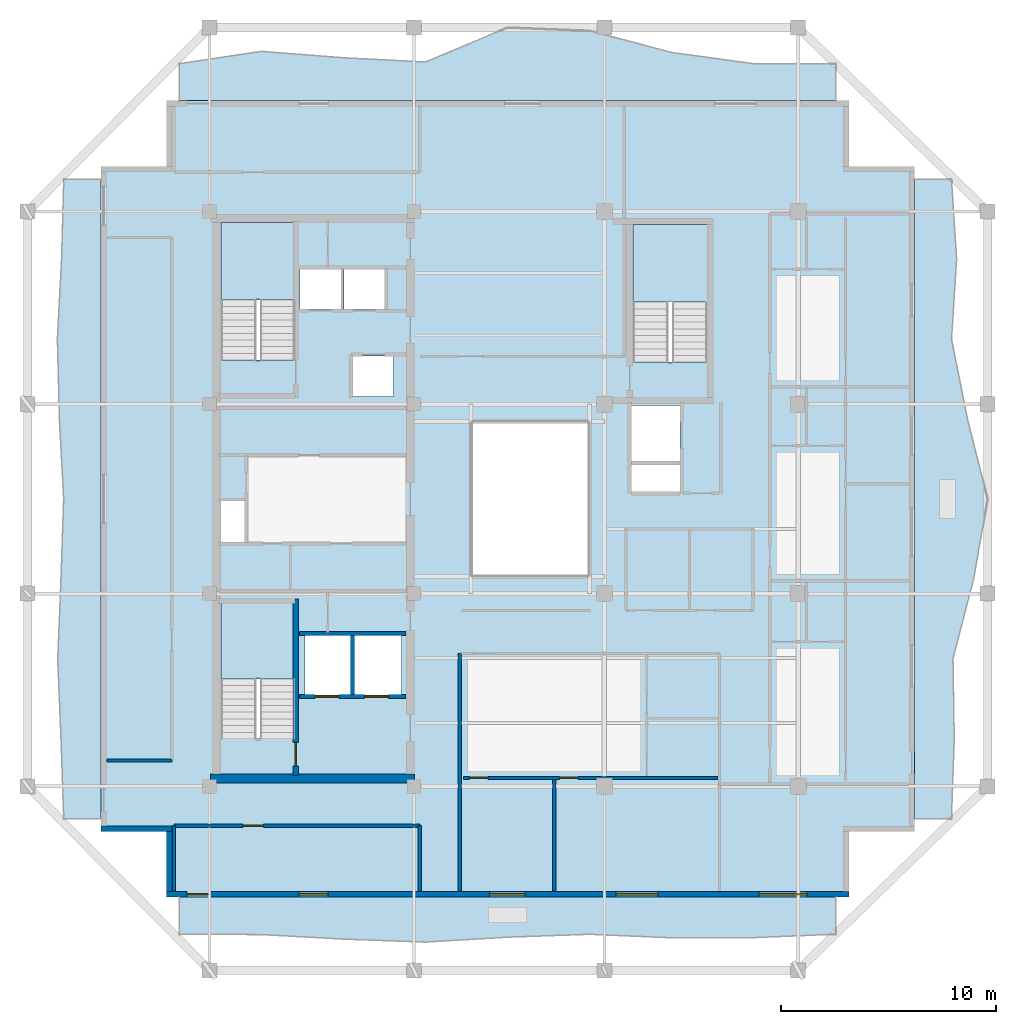
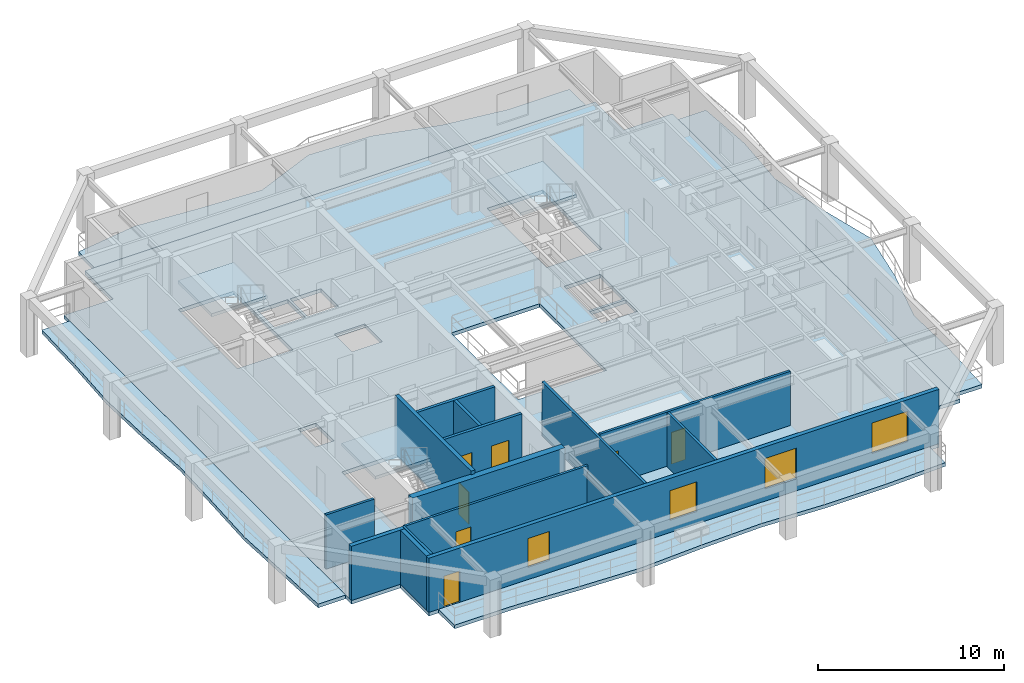
# One storey, part 2 of 10: 15 walls, 8 slabs, 7 doors, 4 windows, 11 openings, 3 elements without a shape of their own.
"""IFC4 building model written with IfcOpenShell, lengths in metres."""

from ifc_helpers import new_model, si_unit, direction, frame, frame_2d, origin, place, context, subcontext, project, spatial, polyline, rectangle, outline, extrude, material, layer, layer_set, type_object, element, fill, aggregate, save


model = new_model("IFC4")

# Units and contexts
model_context = context("Model", 3, precision=1e-05, world=origin(), true_north=direction((0.0, 1.0)))
body_context = subcontext(model_context, "Body", "Model", "MODEL_VIEW")
ifc_project = project(units=[si_unit("LENGTHUNIT", "METRE"), si_unit("AREAUNIT", "SQUARE_METRE"), si_unit("VOLUMEUNIT", "CUBIC_METRE"), si_unit("PLANEANGLEUNIT", "RADIAN"), si_unit("MASSUNIT", "GRAM", prefix="KILO")], contexts=[model_context])

# Site, building, storey
site_placement = place(None, origin())
site = spatial("IfcSite", under=ifc_project, at=site_placement, CompositionType="ELEMENT")
building_placement = place(site_placement, origin())
building = spatial("IfcBuilding", under=site, at=building_placement, Name="Kundavana Baori Tower", CompositionType="ELEMENT")
storey_placement = place(building_placement, frame((0.0, 0.0, 312.5)))
storey = spatial("IfcBuildingStorey", under=building, at=storey_placement, Name="L77", CompositionType="ELEMENT", Elevation=312.5)

# Slab
ifc_material_1 = material(Name="Concrete C40/50", Category="concrete")
ifc_layer_1 = layer(ifc_material_1, 0.239990234375, Name="SLB-FLR-240")
ifc_layer_set_1 = layer_set([ifc_layer_1], Name="Concrete C40/50")
slab_type_1 = type_object("IfcSlabType", Name="SLB-FLR-240", PredefinedType="FLOOR", material=ifc_layer_set_1)
slab_1_placement = place(storey_placement, frame((0.0, 0.0, -0.239990234375)))
element("IfcSlab", 1, at=slab_1_placement, inside=storey, type_object=slab_type_1, Name="L77 Structural Floor Slab", PredefinedType="FLOOR", context=body_context, shape_type="SweptSolid", body=[
    extrude(outline(polyline([(13.449951171875, 10.10009765625), (45.14990234375, 10.10009765625), (45.14990234375, 13.14990234375), (48.199951171875, 13.14990234375), (48.199951171875, 44.050048828125), (45.14990234375, 44.050048828125), (45.14990234375, 47.10009765625), (13.449951171875, 47.10009765625), (13.449951171875, 44.050048828125), (10.39990234375, 44.050048828125), (10.39990234375, 13.14990234375), (13.449951171875, 13.14990234375), (13.449951171875, 10.10009765625)]), holes=[polyline([(19.43994140625, 17.4619140625), (19.43994140625, 23.85009765625), (15.97998046875, 23.85009765625), (15.97998046875, 17.4619140625), (19.43994140625, 17.4619140625)]), polyline([(19.43994140625, 35.06201171875), (19.43994140625, 41.449951171875), (15.97998046875, 41.449951171875), (15.97998046875, 35.06201171875), (19.43994140625, 35.06201171875)]), polyline([(38.580078125, 34.9619140625), (38.580078125, 41.35009765625), (35.1201171875, 41.35009765625), (35.1201171875, 34.9619140625), (38.580078125, 34.9619140625)]), polyline([(19.64990234375, 37.39990234375), (21.550048828125, 37.39990234375), (21.550048828125, 39.300048828125), (19.64990234375, 39.300048828125), (19.64990234375, 37.39990234375)]), polyline([(21.699951171875, 37.39990234375), (23.60009765625, 37.39990234375), (23.60009765625, 39.300048828125), (21.699951171875, 39.300048828125), (21.699951171875, 37.39990234375)]), polyline([(22.10009765625, 33.35009765625), (24.0, 33.35009765625), (24.0, 35.25), (22.10009765625, 35.25), (22.10009765625, 33.35009765625)]), polyline([(19.8798828125, 19.5), (22.02001953125, 19.5), (22.02001953125, 22.25), (19.8798828125, 22.25), (19.8798828125, 19.5)]), polyline([(22.179931640625, 19.5), (24.3798828125, 19.5), (24.3798828125, 22.25), (22.179931640625, 22.25), (22.179931640625, 19.5)]), polyline([(35.050048828125, 30.35009765625), (37.300048828125, 30.35009765625), (37.300048828125, 32.949951171875), (35.050048828125, 32.949951171875), (35.050048828125, 30.35009765625)]), polyline([(15.949951171875, 26.60009765625), (17.080078125, 26.60009765625), (17.080078125, 28.5), (15.949951171875, 28.5), (15.949951171875, 26.60009765625)]), polyline([(35.050048828125, 28.949951171875), (37.300048828125, 28.949951171875), (37.300048828125, 30.199951171875), (35.050048828125, 30.199951171875), (35.050048828125, 28.949951171875)]), polyline([(27.60009765625, 25.0), (33.10009765625, 25.0), (33.10009765625, 32.199951171875), (27.60009765625, 32.199951171875), (27.60009765625, 25.0)])]), origin(), (0.0, 0.0, 1.0), 0.239990234375),
])

# Stair, slab
ifc_material_2 = material(Name="Concrete C40/50", Category="concrete")
stair_type = type_object("IfcStairType", Name="STR-DOG-1650", PredefinedType="HALF_TURN_STAIR", material=ifc_material_2)
stair_1_placement = place(storey_placement, origin())
stair_1 = element("IfcStair", 2, at=stair_1_placement, inside=storey, type_object=stair_type, Name="L77 Protected Exit Stair ST1", PredefinedType="HALF_TURN_STAIR")
ifc_material_3 = material(Name="Concrete C40/50", Category="concrete")
ifc_layer_2 = layer(ifc_material_3, 0.199951171875, Name="SLB-LND-200")
ifc_layer_set_2 = layer_set([ifc_layer_2], Name="Concrete C40/50")
slab_type_2 = type_object("IfcSlabType", Name="SLB-LND-200", PredefinedType="LANDING", material=ifc_layer_set_2)
slab_2_placement = place(storey_placement, frame((0.0, 0.0, 1.699951171875)))
slab_2 = element("IfcSlab", 3, at=slab_2_placement, type_object=slab_type_2, Name="ST1 landing 1", PredefinedType="LANDING", context=body_context, shape_type="SweptSolid", body=[
    extrude(outline(polyline([(19.43994140625, 20.239990234375), (19.43994140625, 23.85009765625), (15.97998046875, 23.85009765625), (15.97998046875, 20.239990234375), (19.43994140625, 20.239990234375)])), origin(), (0.0, 0.0, 1.0), 0.199951171875),
])
aggregate(stair_1, [slab_2])

stair_2_placement = place(storey_placement, origin())
stair_2 = element("IfcStair", 4, at=stair_2_placement, inside=storey, type_object=stair_type, Name="L77 Protected Exit Stair ST2", PredefinedType="HALF_TURN_STAIR")
slab_3_placement = place(storey_placement, frame((0.0, 0.0, 1.699951171875)))
slab_3 = element("IfcSlab", 5, at=slab_3_placement, type_object=slab_type_2, Name="ST2 landing 1", PredefinedType="LANDING", context=body_context, shape_type="SweptSolid", body=[
    extrude(outline(polyline([(19.43994140625, 37.840087890625), (19.43994140625, 41.449951171875), (15.97998046875, 41.449951171875), (15.97998046875, 37.840087890625), (19.43994140625, 37.840087890625)])), origin(), (0.0, 0.0, 1.0), 0.199951171875),
])
aggregate(stair_2, [slab_3])

stair_3_placement = place(storey_placement, origin())
stair_3 = element("IfcStair", 6, at=stair_3_placement, inside=storey, type_object=stair_type, Name="L77 Protected Exit Stair ST3", PredefinedType="HALF_TURN_STAIR")
slab_4_placement = place(storey_placement, frame((0.0, 0.0, 1.699951171875)))
slab_4 = element("IfcSlab", 7, at=slab_4_placement, type_object=slab_type_2, Name="ST3 landing 1", PredefinedType="LANDING", context=body_context, shape_type="SweptSolid", body=[
    extrude(outline(polyline([(38.580078125, 37.739990234375), (38.580078125, 41.35009765625), (35.1201171875, 41.35009765625), (35.1201171875, 37.739990234375), (38.580078125, 37.739990234375)])), origin(), (0.0, 0.0, 1.0), 0.199951171875),
])
aggregate(stair_3, [slab_4])

# Slabs
ifc_material_4 = material(Name="Concrete C40/50", Category="concrete")
ifc_layer_3 = layer(ifc_material_4, 0.239990234375, Name="SLB-LOG-240")
ifc_layer_set_3 = layer_set([ifc_layer_3], Name="Concrete C40/50")
slab_type_3 = type_object("IfcSlabType", Name="SLB-LOG-240", PredefinedType="FLOOR", material=ifc_layer_set_3)
slab_5_placement = place(storey_placement, frame((0.0, 0.0, -0.239990234375)))
element("IfcSlab", 8, at=slab_5_placement, inside=storey, type_object=slab_type_3, Name="L77 Planted Loggia Balcony Slab S", PredefinedType="FLOOR", context=body_context, shape_type="SweptSolid", body=[
    extrude(outline(polyline([(14.050048828125, 10.10009765625), (44.550048828125, 10.10009765625), (44.550048828125, 8.3798828125), (40.737060546875, 8.218994140625), (36.925048828125, 8.212890625), (33.112060546875, 8.375), (29.300048828125, 8.240966796875), (25.487060546875, 8.011962890625), (21.675048828125, 8.152099609375), (17.863037109375, 8.362060546875), (14.050048828125, 8.3798828125), (14.050048828125, 10.10009765625)])), origin(), (0.0, 0.0, 1.0), 0.239990234375),
])
slab_6_placement = place(storey_placement, frame((0.0, 0.0, -0.239990234375)))
element("IfcSlab", 9, at=slab_6_placement, inside=storey, type_object=slab_type_3, Name="L77 Planted Loggia Balcony Slab E", PredefinedType="FLOOR", context=body_context, shape_type="SweptSolid", body=[
    extrude(outline(polyline([(48.199951171875, 13.75), (48.199951171875, 43.449951171875), (49.919921875, 43.449951171875), (50.160888671875, 39.738037109375), (49.923095703125, 36.02490234375), (50.6630859375, 32.31201171875), (51.60009765625, 28.60009765625), (50.955078125, 24.887939453125), (49.989013671875, 21.175048828125), (50.050048828125, 17.4619140625), (49.919921875, 13.75), (48.199951171875, 13.75)])), origin(), (0.0, 0.0, 1.0), 0.239990234375),
])
slab_7_placement = place(storey_placement, frame((0.0, 0.0, -0.239990234375)))
element("IfcSlab", 10, at=slab_7_placement, inside=storey, type_object=slab_type_3, Name="L77 Planted Loggia Balcony Slab N", PredefinedType="FLOOR", context=body_context, shape_type="SweptSolid", body=[
    extrude(outline(polyline([(44.550048828125, 47.10009765625), (14.050048828125, 47.10009765625), (14.050048828125, 48.820068359375), (17.863037109375, 49.39208984375), (21.675048828125, 49.095947265625), (25.487060546875, 48.89892578125), (29.300048828125, 50.5), (33.112060546875, 50.35107421875), (36.925048828125, 49.340087890625), (40.737060546875, 48.820068359375), (44.550048828125, 48.820068359375), (44.550048828125, 47.10009765625)])), origin(), (0.0, 0.0, 1.0), 0.239990234375),
])
slab_8_placement = place(storey_placement, frame((0.0, 0.0, -0.239990234375)))
element("IfcSlab", 11, at=slab_8_placement, inside=storey, type_object=slab_type_3, Name="L77 Planted Loggia Balcony Slab W", PredefinedType="FLOOR", context=body_context, shape_type="SweptSolid", body=[
    extrude(outline(polyline([(10.39990234375, 43.449951171875), (10.39990234375, 13.75), (8.679931640625, 13.75), (8.552001953125, 17.4619140625), (8.39990234375, 21.175048828125), (8.551025390625, 24.887939453125), (8.676025390625, 28.60009765625), (8.47802734375, 32.31201171875), (8.384033203125, 36.02490234375), (8.5791015625, 39.738037109375), (8.679931640625, 43.449951171875), (10.39990234375, 43.449951171875)])), origin(), (0.0, 0.0, 1.0), 0.239990234375),
])

# Wall
ifc_material_5 = material(Name="Concrete C50/60", Category="concrete")
ifc_layer_4 = layer(ifc_material_5, 0.39990234375, Name="WL-CORE-400")
ifc_layer_set_4 = layer_set([ifc_layer_4], Name="Concrete C50/60")
wall_type_1 = type_object("IfcWallType", Name="WL-CORE-400", PredefinedType="SHEAR", material=ifc_layer_set_4)
wall_1_placement = place(storey_placement, frame((15.5, 15.610107421875, 0.0), z_axis=(0.0, 0.0, 1.0), x_axis=(1.0, 0.0, 0.0)))
element("IfcWall", 12, at=wall_1_placement, inside=storey, type_object=wall_type_1, Name="L77 Offset Core South Shear Wall", PredefinedType="SHEAR", context=body_context, shape_type="SweptSolid", body=[
    extrude(rectangle(XDim=9.47998046875, YDim=0.39990234375, at=frame_2d((4.739990234375, 0.0))), origin(), (0.0, 0.0, 1.0), 3.56005859375),
])

# Wall, opening, door
wall_2_placement = place(storey_placement, frame((19.4599609375, 15.739990234375, 0.0), z_axis=(0.0, 0.0, 1.0), x_axis=(0.0, 1.0, 0.0)))
wall_2 = element("IfcWall", 13, at=wall_2_placement, inside=storey, type_object=wall_type_1, Name="WL-L77-ST1-E", PredefinedType="SHEAR", context=body_context, shape_type="SweptSolid", body=[
    extrude(rectangle(XDim=8.199951171875, YDim=0.239990234375, at=frame_2d((4.10009765625, 0.0))), origin(), (0.0, 0.0, 1.0), 3.800048828125),
])
opening_1_placement = place(wall_2_placement, frame((0.449951171875, 0.0, 0.0)))
opening_1 = element("IfcOpeningElement", 14, at=opening_1_placement, cuts=wall_2, Name="Opening FD-110", PredefinedType="OPENING", context=body_context, shape_type="SweptSolid", body=[
    extrude(rectangle(XDim=1.10009765625, YDim=2.10009765625, at=frame_2d((0.550048828125, 1.050048828125))), frame((0.0, 0.1298828125, 0.0), z_axis=(0.0, -1.0, 0.0), x_axis=(1.0, 0.0, 0.0)), (0.0, 0.0, 1.0), 0.260009765625),
])
ifc_material_6 = material(Name="Galvanised Steel Fire-Rated Door Leaf", Category="steel")
door_type_1 = type_object("IfcDoorType", Name="DR-FD120-1100", OperationType="NOTDEFINED", PredefinedType="DOOR", material=ifc_material_6)
door_1_placement = place(opening_1_placement, origin())
door_1 = element("IfcDoor", 15, at=door_1_placement, inside=storey, type_object=door_type_1, Name="DR-L77-ST1", OperationType="SINGLE_SWING_LEFT", OverallHeight=2.10009765625, OverallWidth=1.10009765625, PredefinedType="DOOR", context=body_context, shape_type="SweptSolid", body=[
    extrude(rectangle(XDim=1.10009765625, YDim=2.10009765625, at=frame_2d((0.550048828125, 1.050048828125))), frame((0.0, 0.02490234375, 0.0), z_axis=(0.0, -1.0, 0.0), x_axis=(1.0, 0.0, 0.0)), (0.0, 0.0, 1.0), 0.050048828125),
])
fill(opening_1, door_1)

# Wall, openings, door, windows
ifc_material_7 = material(Name="Kiln-Fired Terracotta Brick-Slip Masonry on Concrete C40/50", Category="masonry")
ifc_layer_5 = layer(ifc_material_7, 0.260009765625, Name="WL-EXT-BRK-260")
ifc_layer_set_5 = layer_set([ifc_layer_5], Name="Kiln-Fired Terracotta Brick-Slip Masonry on Concrete C40/50")
wall_type_2 = type_object("IfcWallType", Name="WL-EXT-BRK-260", PredefinedType="SOLIDWALL", material=ifc_layer_set_5)
wall_3_placement = place(storey_placement, frame((13.449951171875, 10.22998046875, 0.0), z_axis=(0.0, 0.0, 1.0), x_axis=(1.0, 0.0, 0.0)))
wall_3 = element("IfcWall", 16, at=wall_3_placement, inside=storey, type_object=wall_type_2, Name="L77 Exterior Insulated Facade Wall 01", PredefinedType="SOLIDWALL", context=body_context, shape_type="SweptSolid", body=[
    extrude(rectangle(XDim=31.699951171875, YDim=0.260009765625, at=frame_2d((15.85009765625, 0.0))), origin(), (0.0, 0.0, 1.0), 3.56005859375),
])
opening_2_placement = place(wall_3_placement, frame((0.949951171875, 0.0, 0.0)))
opening_2 = element("IfcOpeningElement", 17, at=opening_2_placement, cuts=wall_3, Name="Opening BD-1", PredefinedType="OPENING", context=body_context, shape_type="SweptSolid", body=[
    extrude(rectangle(XDim=1.0, YDim=2.050048828125, at=frame_2d((0.5, 1.02490234375))), frame((0.0, 0.14013671875, 0.0), z_axis=(0.0, -1.0, 0.0), x_axis=(1.0, 0.0, 0.0)), (0.0, 0.0, 1.0), 0.280029296875),
])
opening_3_placement = place(wall_3_placement, frame((6.159912109375, 0.0, 0.800048828125)))
opening_3 = element("IfcOpeningElement", 18, at=opening_3_placement, cuts=wall_3, Name="Opening W-07", PredefinedType="OPENING", context=body_context, shape_type="SweptSolid", body=[
    extrude(rectangle(XDim=1.35009765625, YDim=1.89990234375, at=frame_2d((0.675048828125, 0.949951171875))), frame((0.0, 0.14013671875, 0.0), z_axis=(0.0, -1.0, 0.0), x_axis=(1.0, 0.0, 0.0)), (0.0, 0.0, 1.0), 0.280029296875),
])
opening_4_placement = place(wall_3_placement, frame((14.998046875, 0.0, 0.800048828125)))
opening_4 = element("IfcOpeningElement", 19, at=opening_4_placement, cuts=wall_3, Name="Opening W-08", PredefinedType="OPENING", context=body_context, shape_type="SweptSolid", body=[
    extrude(rectangle(XDim=1.64990234375, YDim=1.949951171875, at=frame_2d((0.824951171875, 0.97509765625))), frame((0.0, 0.14013671875, 0.0), z_axis=(0.0, -1.0, 0.0), x_axis=(1.0, 0.0, 0.0)), (0.0, 0.0, 1.0), 0.280029296875),
])
opening_5_placement = place(wall_3_placement, frame((20.883056640625, 0.0, 0.800048828125)))
opening_5 = element("IfcOpeningElement", 20, at=opening_5_placement, cuts=wall_3, Name="Opening W-09", PredefinedType="OPENING", context=body_context, shape_type="SweptSolid", body=[
    extrude(rectangle(XDim=1.949951171875, YDim=2.0, at=frame_2d((0.97509765625, 1.0))), frame((0.0, 0.14013671875, 0.0), z_axis=(0.0, -1.0, 0.0), x_axis=(1.0, 0.0, 0.0)), (0.0, 0.0, 1.0), 0.280029296875),
])
opening_6_placement = place(wall_3_placement, frame((27.52001953125, 0.0, 0.800048828125)))
opening_6 = element("IfcOpeningElement", 21, at=opening_6_placement, cuts=wall_3, Name="Opening W-10", PredefinedType="OPENING", context=body_context, shape_type="SweptSolid", body=[
    extrude(rectangle(XDim=2.25, YDim=2.0, at=frame_2d((1.125, 1.0))), frame((0.0, 0.14013671875, 0.0), z_axis=(0.0, -1.0, 0.0), x_axis=(1.0, 0.0, 0.0)), (0.0, 0.0, 1.0), 0.280029296875),
])
ifc_material_8 = material(Name="Architectural Patinated Bronze Metalwork")
door_type_2 = type_object("IfcDoorType", Name="DR-EXT-LOG-1000", OperationType="NOTDEFINED", PredefinedType="DOOR", material=ifc_material_8)
door_2_placement = place(opening_2_placement, frame((1.0, 0.0, 0.0), z_axis=(0.0, 0.0, 1.0), x_axis=(-1.0, 0.0, 0.0)))
door_2 = element("IfcDoor", 22, at=door_2_placement, inside=storey, type_object=door_type_2, Name="L77 Loggia Balcony Access Door S", OperationType="SINGLE_SWING_LEFT", OverallHeight=2.050048828125, OverallWidth=1.0, PredefinedType="DOOR", context=body_context, shape_type="SweptSolid", body=[
    extrude(rectangle(XDim=1.0, YDim=2.050048828125, at=frame_2d((0.5, 1.02490234375))), frame((0.0, 0.02490234375, 0.0), z_axis=(0.0, -1.0, 0.0), x_axis=(1.0, 0.0, 0.0)), (0.0, 0.0, 1.0), 0.050048828125),
])
fill(opening_2, door_2)
ifc_material_9 = material(Name="Double-Glazed Solar-Control Low-E Insulated Glass", Category="glass")
window_type_1 = type_object("IfcWindowType", Name="WIN-LOG-1350x1900", PartitioningType="SINGLE_PANEL", PredefinedType="WINDOW", material=ifc_material_9)
window_1_placement = place(opening_3_placement, origin())
window_1 = element("IfcWindow", 23, at=window_1_placement, inside=storey, type_object=window_type_1, Name="L77 Recessed Loggia Window S-1", OverallHeight=1.89990234375, OverallWidth=1.35009765625, PartitioningType="SINGLE_PANEL", PredefinedType="WINDOW", context=body_context, shape_type="SweptSolid", body=[
    extrude(rectangle(XDim=1.35009765625, YDim=1.89990234375, at=frame_2d((0.675048828125, 0.949951171875))), frame((0.0, 0.030029296875, 0.0), z_axis=(0.0, -1.0, 0.0), x_axis=(1.0, 0.0, 0.0)), (0.0, 0.0, 1.0), 0.06005859375),
])
fill(opening_3, window_1)
ifc_material_10 = material(Name="Double-Glazed Solar-Control Low-E Insulated Glass", Category="glass")
window_type_2 = type_object("IfcWindowType", Name="WIN-LOG-1650x1950", PartitioningType="SINGLE_PANEL", PredefinedType="WINDOW", material=ifc_material_10)
window_2_placement = place(opening_4_placement, origin())
window_2 = element("IfcWindow", 24, at=window_2_placement, inside=storey, type_object=window_type_2, Name="L77 Recessed Loggia Window S-2", OverallHeight=1.949951171875, OverallWidth=1.64990234375, PartitioningType="SINGLE_PANEL", PredefinedType="WINDOW", context=body_context, shape_type="SweptSolid", body=[
    extrude(rectangle(XDim=1.64990234375, YDim=1.949951171875, at=frame_2d((0.824951171875, 0.97509765625))), frame((0.0, 0.030029296875, 0.0), z_axis=(0.0, -1.0, 0.0), x_axis=(1.0, 0.0, 0.0)), (0.0, 0.0, 1.0), 0.06005859375),
])
fill(opening_4, window_2)
ifc_material_11 = material(Name="Double-Glazed Solar-Control Low-E Insulated Glass", Category="glass")
window_type_3 = type_object("IfcWindowType", Name="WIN-LOG-1950x2000", PartitioningType="SINGLE_PANEL", PredefinedType="WINDOW", material=ifc_material_11)
window_3_placement = place(opening_5_placement, origin())
window_3 = element("IfcWindow", 25, at=window_3_placement, inside=storey, type_object=window_type_3, Name="L77 Recessed Loggia Window S-3", OverallHeight=2.0, OverallWidth=1.949951171875, PartitioningType="SINGLE_PANEL", PredefinedType="WINDOW", context=body_context, shape_type="SweptSolid", body=[
    extrude(rectangle(XDim=1.949951171875, YDim=2.0, at=frame_2d((0.97509765625, 1.0))), frame((0.0, 0.030029296875, 0.0), z_axis=(0.0, -1.0, 0.0), x_axis=(1.0, 0.0, 0.0)), (0.0, 0.0, 1.0), 0.06005859375),
])
fill(opening_5, window_3)
ifc_material_12 = material(Name="Double-Glazed Solar-Control Low-E Insulated Glass", Category="glass")
window_type_4 = type_object("IfcWindowType", Name="WIN-LOG-2250x2000", PartitioningType="SINGLE_PANEL", PredefinedType="WINDOW", material=ifc_material_12)
window_4_placement = place(opening_6_placement, origin())
window_4 = element("IfcWindow", 26, at=window_4_placement, inside=storey, type_object=window_type_4, Name="L77 Recessed Loggia Window S-4", OverallHeight=2.0, OverallWidth=2.25, PartitioningType="SINGLE_PANEL", PredefinedType="WINDOW", context=body_context, shape_type="SweptSolid", body=[
    extrude(rectangle(XDim=2.25, YDim=2.0, at=frame_2d((1.125, 1.0))), frame((0.0, 0.030029296875, 0.0), z_axis=(0.0, -1.0, 0.0), x_axis=(1.0, 0.0, 0.0)), (0.0, 0.0, 1.0), 0.06005859375),
])
fill(opening_6, window_4)

# Walls
wall_4_placement = place(storey_placement, frame((10.39990234375, 13.280029296875, 0.0), z_axis=(0.0, 0.0, 1.0), x_axis=(1.0, 0.0, 0.0)))
element("IfcWall", 27, at=wall_4_placement, inside=storey, type_object=wall_type_2, Name="L77 Exterior Insulated Facade Wall 11", PredefinedType="SOLIDWALL", context=body_context, shape_type="SweptSolid", body=[
    extrude(rectangle(XDim=3.31005859375, YDim=0.260009765625, at=frame_2d((1.655029296875, 0.0))), origin(), (0.0, 0.0, 1.0), 3.56005859375),
])
wall_5_placement = place(storey_placement, frame((13.580078125, 13.14990234375, 0.0), z_axis=(0.0, 0.0, 1.0), x_axis=(0.0, -1.0, 0.0)))
element("IfcWall", 28, at=wall_5_placement, inside=storey, type_object=wall_type_2, Name="L77 Exterior Insulated Facade Wall 12", PredefinedType="SOLIDWALL", context=body_context, shape_type="SweptSolid", body=[
    extrude(rectangle(XDim=2.789794921875, YDim=0.260009765625, at=frame_2d((1.39501953125, 0.0))), origin(), (0.0, 0.0, 1.0), 3.56005859375),
])
ifc_material_13 = material(Name="Fire-Rated Gypsum Drywall on Galvanised Steel Studs", Category="steel")
ifc_layer_6 = layer(ifc_material_13, 0.14990234375, Name="WL-PART-150")
ifc_layer_set_6 = layer_set([ifc_layer_6], Name="Fire-Rated Gypsum Drywall on Galvanised Steel Studs")
wall_type_3 = type_object("IfcWallType", Name="WL-PART-150", PredefinedType="PARTITIONING", material=ifc_layer_set_6)
wall_6_placement = place(storey_placement, frame((27.080078125, 10.3798828125, 0.0), z_axis=(0.0, 0.0, 1.0), x_axis=(0.0, 1.0, 0.0)))
element("IfcWall", 29, at=wall_6_placement, inside=storey, type_object=wall_type_3, Name="WL-L77-RSW", PredefinedType="PARTITIONING", context=body_context, shape_type="SweptSolid", body=[
    extrude(rectangle(XDim=11.0400390625, YDim=0.14990234375, at=frame_2d((5.52001953125, 0.0))), origin(), (0.0, 0.0, 1.0), 3.56005859375),
])

# Wall, opening, door
wall_7_placement = place(storey_placement, frame((13.800048828125, 13.419921875, 0.0), z_axis=(0.0, 0.0, 1.0), x_axis=(1.0, 0.0, 0.0)))
wall_7 = element("IfcWall", 30, at=wall_7_placement, inside=storey, type_object=wall_type_3, Name="WL-L77-RSC", PredefinedType="PARTITIONING", context=body_context, shape_type="SweptSolid", body=[
    extrude(rectangle(XDim=11.419921875, YDim=0.14990234375, at=frame_2d((5.7099609375, 0.0))), origin(), (0.0, 0.0, 1.0), 3.56005859375),
])
opening_7_placement = place(wall_7_placement, frame((3.199951171875, 0.0, 0.0)))
opening_7 = element("IfcOpeningElement", 31, at=opening_7_placement, cuts=wall_7, Name="Opening ID-095", PredefinedType="OPENING", context=body_context, shape_type="SweptSolid", body=[
    extrude(rectangle(XDim=0.949951171875, YDim=2.080078125, at=frame_2d((0.47509765625, 1.0400390625))), frame((0.0, 0.0849609375, 0.0), z_axis=(0.0, -1.0, 0.0), x_axis=(1.0, 0.0, 0.0)), (0.0, 0.0, 1.0), 0.169921875),
])
ifc_material_14 = material(Name="Engineered Teak Solid-Core Timber Veneer", Category="wood")
door_type_3 = type_object("IfcDoorType", Name="DR-INT-950", OperationType="NOTDEFINED", PredefinedType="DOOR", material=ifc_material_14)
door_3_placement = place(opening_7_placement, frame((0.949951171875, 0.0, 0.0), z_axis=(0.0, 0.0, 1.0), x_axis=(-1.0, 0.0, 0.0)))
door_3 = element("IfcDoor", 32, at=door_3_placement, inside=storey, type_object=door_type_3, Name="DR-L77-RMSW", OperationType="SINGLE_SWING_LEFT", OverallHeight=2.080078125, OverallWidth=0.949951171875, PredefinedType="DOOR", context=body_context, shape_type="SweptSolid", body=[
    extrude(rectangle(XDim=0.949951171875, YDim=2.080078125, at=frame_2d((0.47509765625, 1.0400390625))), frame((0.0, 0.02490234375, 0.0), z_axis=(0.0, -1.0, 0.0), x_axis=(1.0, 0.0, 0.0)), (0.0, 0.0, 1.0), 0.050048828125),
])
fill(opening_7, door_3)

# Walls
wall_8_placement = place(storey_placement, frame((13.800048828125, 10.3798828125, 0.0), z_axis=(0.0, 0.0, 1.0), x_axis=(0.0, 1.0, 0.0)))
element("IfcWall", 33, at=wall_8_placement, inside=storey, type_object=wall_type_3, Name="WL-L77-RSCW", PredefinedType="PARTITIONING", context=body_context, shape_type="SweptSolid", body=[
    extrude(rectangle(XDim=3.0400390625, YDim=0.14990234375, at=frame_2d((1.52001953125, 0.0))), origin(), (0.0, 0.0, 1.0), 3.56005859375),
])
wall_9_placement = place(storey_placement, frame((25.219970703125, 10.3798828125, 0.0), z_axis=(0.0, 0.0, 1.0), x_axis=(0.0, 1.0, 0.0)))
element("IfcWall", 34, at=wall_9_placement, inside=storey, type_object=wall_type_3, Name="WL-L77-RSCE", PredefinedType="PARTITIONING", context=body_context, shape_type="SweptSolid", body=[
    extrude(rectangle(XDim=3.0400390625, YDim=0.14990234375, at=frame_2d((1.52001953125, 0.0))), origin(), (0.0, 0.0, 1.0), 3.110107421875),
])
wall_10_placement = place(storey_placement, frame((10.679931640625, 16.449951171875, 0.0), z_axis=(0.0, 0.0, 1.0), x_axis=(1.0, 0.0, 0.0)))
element("IfcWall", 35, at=wall_10_placement, inside=storey, type_object=wall_type_3, Name="WL-L77-RWS", PredefinedType="PARTITIONING", context=body_context, shape_type="SweptSolid", body=[
    extrude(rectangle(XDim=3.02001953125, YDim=0.14990234375, at=frame_2d((1.510009765625, 0.0))), origin(), (0.0, 0.0, 1.0), 3.56005859375),
])

# Wall, openings, doors
wall_11_placement = place(storey_placement, frame((27.239990234375, 15.64111328125, 0.0), z_axis=(0.0, 0.0, 1.0), x_axis=(1.0, 0.0, 0.0)))
wall_11 = element("IfcWall", 36, at=wall_11_placement, inside=storey, type_object=wall_type_3, Name="WL-L77-S1-HZ", PredefinedType="PARTITIONING", context=body_context, shape_type="SweptSolid", body=[
    extrude(rectangle(XDim=11.830078125, YDim=0.14990234375, at=frame_2d((5.9150390625, 0.0))), origin(), (0.0, 0.0, 1.0), 3.56005859375),
])
opening_8_placement = place(wall_11_placement, frame((0.300048828125, 0.0, 0.0)))
opening_8 = element("IfcOpeningElement", 37, at=opening_8_placement, cuts=wall_11, Name="Opening ID-085", PredefinedType="OPENING", context=body_context, shape_type="SweptSolid", body=[
    extrude(rectangle(XDim=0.85009765625, YDim=2.080078125, at=frame_2d((0.425048828125, 1.0400390625))), frame((0.0, 0.0849609375, 0.0), z_axis=(0.0, -1.0, 0.0), x_axis=(1.0, 0.0, 0.0)), (0.0, 0.0, 1.0), 0.169921875),
])
opening_9_placement = place(wall_11_placement, frame((4.47509765625, 0.0, 0.0)))
opening_9 = element("IfcOpeningElement", 38, at=opening_9_placement, cuts=wall_11, Name="Opening ID-085", PredefinedType="OPENING", context=body_context, shape_type="SweptSolid", body=[
    extrude(rectangle(XDim=0.85009765625, YDim=2.080078125, at=frame_2d((0.425048828125, 1.0400390625))), frame((0.0, 0.0849609375, 0.0), z_axis=(0.0, -1.0, 0.0), x_axis=(1.0, 0.0, 0.0)), (0.0, 0.0, 1.0), 0.169921875),
])
ifc_material_15 = material(Name="Engineered Teak Solid-Core Timber Veneer", Category="wood")
door_type_4 = type_object("IfcDoorType", Name="DR-INT-850", OperationType="NOTDEFINED", PredefinedType="DOOR", material=ifc_material_15)
door_4_placement = place(opening_8_placement, frame((0.85009765625, 0.0, 0.0), z_axis=(0.0, 0.0, 1.0), x_axis=(-1.0, 0.0, 0.0)))
door_4 = element("IfcDoor", 39, at=door_4_placement, inside=storey, type_object=door_type_4, Name="DR-L77-S1-B1", OperationType="SINGLE_SWING_LEFT", OverallHeight=2.080078125, OverallWidth=0.85009765625, PredefinedType="DOOR", context=body_context, shape_type="SweptSolid", body=[
    extrude(rectangle(XDim=0.85009765625, YDim=2.080078125, at=frame_2d((0.425048828125, 1.0400390625))), frame((0.0, 0.02490234375, 0.0), z_axis=(0.0, -1.0, 0.0), x_axis=(1.0, 0.0, 0.0)), (0.0, 0.0, 1.0), 0.050048828125),
])
fill(opening_8, door_4)
door_5_placement = place(opening_9_placement, frame((0.85009765625, 0.0, 0.0), z_axis=(0.0, 0.0, 1.0), x_axis=(-1.0, 0.0, 0.0)))
door_5 = element("IfcDoor", 40, at=door_5_placement, inside=storey, type_object=door_type_4, Name="DR-L77-S1-B2", OperationType="SINGLE_SWING_RIGHT", OverallHeight=2.080078125, OverallWidth=0.85009765625, PredefinedType="DOOR", context=body_context, shape_type="SweptSolid", body=[
    extrude(rectangle(XDim=0.85009765625, YDim=2.080078125, at=frame_2d((0.425048828125, 1.0400390625))), frame((0.0, 0.02490234375, 0.0), z_axis=(0.0, -1.0, 0.0), x_axis=(1.0, 0.0, 0.0)), (0.0, 0.0, 1.0), 0.050048828125),
])
fill(opening_9, door_5)

# Wall
wall_12_placement = place(storey_placement, frame((31.465087890625, 10.3798828125, 0.0), z_axis=(0.0, 0.0, 1.0), x_axis=(0.0, 1.0, 0.0)))
element("IfcWall", 41, at=wall_12_placement, inside=storey, type_object=wall_type_3, Name="WL-L77-S1-BDV", PredefinedType="PARTITIONING", context=body_context, shape_type="SweptSolid", body=[
    extrude(rectangle(XDim=5.18115234375, YDim=0.14990234375, at=frame_2d((2.590576171875, 0.0))), origin(), (0.0, 0.0, 1.0), 3.56005859375),
])

# Wall, openings, doors
ifc_material_16 = material(Name="Autoclaved Aerated Concrete Blockwork Masonry", Category="masonry")
ifc_layer_7 = layer(ifc_material_16, 0.179931640625, Name="WL-SHAFT-180")
ifc_layer_set_7 = layer_set([ifc_layer_7], Name="Autoclaved Aerated Concrete Blockwork Masonry")
wall_type_4 = type_object("IfcWallType", Name="WL-SHAFT-180", PredefinedType="SOLIDWALL", material=ifc_layer_set_7)
wall_13_placement = place(storey_placement, frame((19.639892578125, 19.419921875, 0.0), z_axis=(0.0, 0.0, 1.0), x_axis=(1.0, 0.0, 0.0)))
wall_13 = element("IfcWall", 42, at=wall_13_placement, inside=storey, type_object=wall_type_4, Name="WL-L77-FFL-S", PredefinedType="SOLIDWALL", context=body_context, shape_type="SweptSolid", body=[
    extrude(rectangle(XDim=4.940185546875, YDim=0.179931640625, at=frame_2d((2.47021484375, 0.0))), origin(), (0.0, 0.0, 1.0), 3.56005859375),
])
opening_10_placement = place(wall_13_placement, frame((0.719970703125, 0.0, 0.0)))
opening_10 = element("IfcOpeningElement", 43, at=opening_10_placement, cuts=wall_13, Name="Opening LD-110", PredefinedType="OPENING", context=body_context, shape_type="SweptSolid", body=[
    extrude(rectangle(XDim=1.10009765625, YDim=2.10009765625, at=frame_2d((0.550048828125, 1.050048828125))), frame((0.0, 0.10009765625, 0.0), z_axis=(0.0, -1.0, 0.0), x_axis=(1.0, 0.0, 0.0)), (0.0, 0.0, 1.0), 0.199951171875),
])
opening_11_placement = place(wall_13_placement, frame((3.02001953125, 0.0, 0.0)))
opening_11 = element("IfcOpeningElement", 44, at=opening_11_placement, cuts=wall_13, Name="Opening LD-110", PredefinedType="OPENING", context=body_context, shape_type="SweptSolid", body=[
    extrude(rectangle(XDim=1.10009765625, YDim=2.10009765625, at=frame_2d((0.550048828125, 1.050048828125))), frame((0.0, 0.10009765625, 0.0), z_axis=(0.0, -1.0, 0.0), x_axis=(1.0, 0.0, 0.0)), (0.0, 0.0, 1.0), 0.199951171875),
])
ifc_material_17 = material(Name="Galvanised Steel Fire-Rated Door Leaf", Category="steel")
door_type_5 = type_object("IfcDoorType", Name="DR-SLIDE-LD1100", OperationType="NOTDEFINED", PredefinedType="DOOR", material=ifc_material_17)
door_6_placement = place(opening_10_placement, origin())
door_6 = element("IfcDoor", 45, at=door_6_placement, inside=storey, type_object=door_type_5, Name="DR-L77-LD-FFL-1", OperationType="DOUBLE_DOOR_SLIDING", OverallHeight=2.10009765625, OverallWidth=1.10009765625, PredefinedType="DOOR", context=body_context, shape_type="SweptSolid", body=[
    extrude(rectangle(XDim=1.10009765625, YDim=2.10009765625, at=frame_2d((0.550048828125, 1.050048828125))), frame((0.0, 0.02490234375, 0.0), z_axis=(0.0, -1.0, 0.0), x_axis=(1.0, 0.0, 0.0)), (0.0, 0.0, 1.0), 0.050048828125),
])
fill(opening_10, door_6)
door_7_placement = place(opening_11_placement, origin())
door_7 = element("IfcDoor", 46, at=door_7_placement, inside=storey, type_object=door_type_5, Name="DR-L77-LD-FFL-2", OperationType="DOUBLE_DOOR_SLIDING", OverallHeight=2.10009765625, OverallWidth=1.10009765625, PredefinedType="DOOR", context=body_context, shape_type="SweptSolid", body=[
    extrude(rectangle(XDim=1.10009765625, YDim=2.10009765625, at=frame_2d((0.550048828125, 1.050048828125))), frame((0.0, 0.02490234375, 0.0), z_axis=(0.0, -1.0, 0.0), x_axis=(1.0, 0.0, 0.0)), (0.0, 0.0, 1.0), 0.050048828125),
])
fill(opening_11, door_7)

# Walls
wall_14_placement = place(storey_placement, frame((22.10009765625, 19.510009765625, 0.0), z_axis=(0.0, 0.0, 1.0), x_axis=(0.0, 1.0, 0.0)))
element("IfcWall", 47, at=wall_14_placement, inside=storey, type_object=wall_type_4, Name="WL-L77-FFL-MID", PredefinedType="SOLIDWALL", context=body_context, shape_type="SweptSolid", body=[
    extrude(rectangle(XDim=2.739990234375, YDim=0.179931640625, at=frame_2d((1.3701171875, 0.0))), origin(), (0.0, 0.0, 1.0), 3.56005859375),
])
wall_15_placement = place(storey_placement, frame((19.639892578125, 22.340087890625, 0.0), z_axis=(0.0, 0.0, 1.0), x_axis=(1.0, 0.0, 0.0)))
element("IfcWall", 48, at=wall_15_placement, inside=storey, type_object=wall_type_4, Name="WL-L77-FFL-N", PredefinedType="SOLIDWALL", context=body_context, shape_type="SweptSolid", body=[
    extrude(rectangle(XDim=4.940185546875, YDim=0.179931640625, at=frame_2d((2.47021484375, 0.0))), origin(), (0.0, 0.0, 1.0), 3.56005859375),
])

save(model, "model.ifc")
